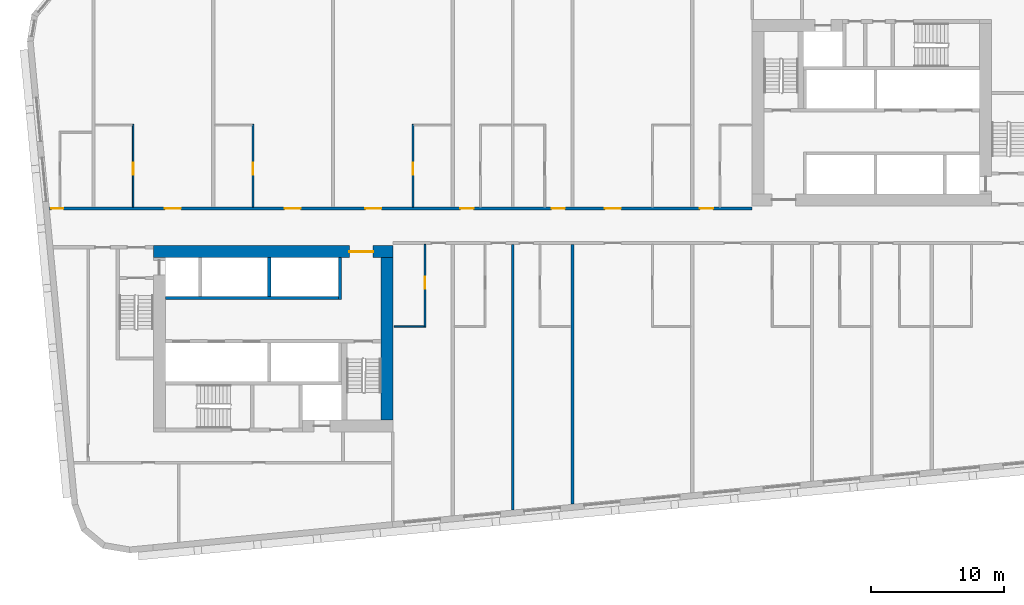
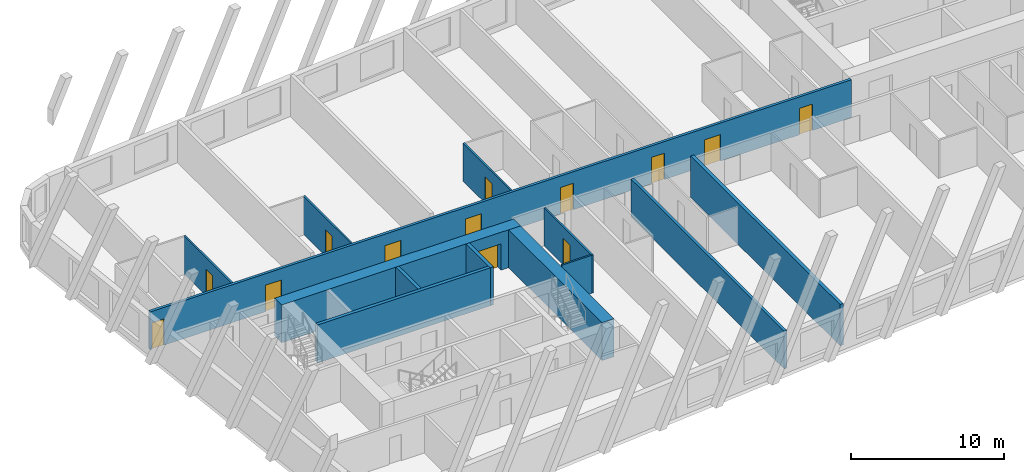
# One storey, part 3 of 13: 13 doors, 13 walls, 13 openings.
"""IFC4 building model written with IfcOpenShell, lengths in metres."""

from ifc_helpers import new_model, si_unit, direction, frame, frame_2d, origin, place, context, subcontext, project, spatial, rectangle, extrude, material, layer, layer_set, type_object, element, fill, save


model = new_model("IFC4")

# Units and contexts
model_context = context("Model", 3, precision=1e-05, world=origin(), true_north=direction((0.0, 1.0)))
body_context = subcontext(model_context, "Body", "Model", "MODEL_VIEW")
ifc_project = project(units=[si_unit("LENGTHUNIT", "METRE"), si_unit("AREAUNIT", "SQUARE_METRE"), si_unit("VOLUMEUNIT", "CUBIC_METRE"), si_unit("PLANEANGLEUNIT", "RADIAN"), si_unit("MASSUNIT", "GRAM", prefix="KILO")], contexts=[model_context])

# Site, building, storey
site_placement = place(None, origin())
site = spatial("IfcSite", under=ifc_project, at=site_placement, CompositionType="ELEMENT")
building_placement = place(site_placement, origin())
building = spatial("IfcBuilding", under=site, at=building_placement, Name="Kajstack Hotel Tower", CompositionType="ELEMENT")
storey_placement = place(building_placement, frame((0.0, 0.0, 140.5)))
storey = spatial("IfcBuildingStorey", under=building, at=storey_placement, Name="L32", CompositionType="ELEMENT", Elevation=140.5)

# Wall, opening, door
ifc_material_1 = material(Name="Concrete C60/75", Category="concrete")
ifc_layer_1 = layer(ifc_material_1, 0.89990234375)
ifc_layer_set_1 = layer_set([ifc_layer_1], Name="Core wall 900")
wall_type_1 = type_object("IfcWallType", Name="Core wall 900", PredefinedType="SHEAR", material=ifc_layer_set_1)
wall_1_placement = place(storey_placement, frame((-31.5, -1.949951171875, 0.0), z_axis=(0.0, 0.0, 1.0), x_axis=(1.0, 0.0, 0.0)))
wall_1 = element("IfcWall", 1, at=wall_1_placement, inside=storey, type_object=wall_type_1, Name="Core wall W RN", PredefinedType="SHEAR", context=body_context, shape_type="SweptSolid", body=[
    extrude(rectangle(XDim=18.0, YDim=0.89990234375, at=frame_2d((9.0, 0.0))), origin(), (0.0, 0.0, 1.0), 3.02001953125),
])
opening_1_placement = place(wall_1_placement, frame((14.72509765625, 0.0, 0.0)))
opening_1 = element("IfcOpeningElement", 2, at=opening_1_placement, cuts=wall_1, Name="Opening 32W06", PredefinedType="OPENING", context=body_context, shape_type="SweptSolid", body=[
    extrude(rectangle(XDim=1.800048828125, YDim=2.10009765625, at=frame_2d((0.89990234375, 1.050048828125))), frame((0.0, 0.4599609375, 0.0), z_axis=(0.0, -1.0, 0.0), x_axis=(1.0, 0.0, 0.0)), (0.0, 0.0, 1.0), 0.919921875),
])
ifc_material_2 = material(Name="Glazed steel frame, fire-rated glass", Category="steel")
door_type_1 = type_object("IfcDoorType", Name="Lobby double door 1800", OperationType="DOUBLE_DOOR_DOUBLE_SWING", PredefinedType="DOOR", material=ifc_material_2)
door_1_placement = place(opening_1_placement, origin())
door_1 = element("IfcDoor", 3, at=door_1_placement, inside=storey, type_object=door_type_1, Name="Door 32W06", OperationType="DOUBLE_DOOR_DOUBLE_SWING", OverallHeight=2.10009765625, OverallWidth=1.800048828125, PredefinedType="DOOR", context=body_context, shape_type="SweptSolid", body=[
    extrude(rectangle(XDim=1.800048828125, YDim=2.10009765625, at=frame_2d((0.89990234375, 1.050048828125))), frame((0.0, 0.02490234375, 0.0), z_axis=(0.0, -1.0, 0.0), x_axis=(1.0, 0.0, 0.0)), (0.0, 0.0, 1.0), 0.050048828125),
])
fill(opening_1, door_1)

# Wall
wall_2_placement = place(storey_placement, frame((-13.949951171875, -14.60009765625, 0.0), z_axis=(0.0, 0.0, 1.0), x_axis=(0.0, 1.0, 0.0)))
element("IfcWall", 4, at=wall_2_placement, inside=storey, type_object=wall_type_1, Name="Core wall W RE", PredefinedType="SHEAR", context=body_context, shape_type="SweptSolid", body=[
    extrude(rectangle(XDim=12.2001953125, YDim=0.89990234375, at=frame_2d((6.10009765625, 0.0))), origin(), (0.0, 0.0, 1.0), 3.02001953125),
])

# Wall, openings, doors
ifc_material_3 = material(Name="Gypsum board on steel studs, mineral wool", Category="steel")
ifc_layer_2 = layer(ifc_material_3, 0.199951171875)
ifc_layer_set_2 = layer_set([ifc_layer_2], Name="Corridor wall 200")
wall_type_2 = type_object("IfcWallType", Name="Corridor wall 200", PredefinedType="PARTITIONING", material=ifc_layer_set_2)
wall_3_placement = place(storey_placement, frame((-39.31591796875, 1.300048828125, 0.0), z_axis=(0.0, 0.0, 1.0), x_axis=(1.0, 0.0, 0.0)))
wall_3 = element("IfcWall", 5, at=wall_3_placement, inside=storey, type_object=wall_type_2, Name="G-wall-L32-003", PredefinedType="PARTITIONING", context=body_context, shape_type="SweptSolid", body=[
    extrude(rectangle(XDim=52.81591796875, YDim=0.199951171875, at=frame_2d((26.407958984375, 0.0))), origin(), (0.0, 0.0, 1.0), 3.02001953125),
])
opening_2_placement = place(wall_3_placement, frame((0.14990234375, 0.0, 0.0)))
opening_2 = element("IfcOpeningElement", 6, at=opening_2_placement, cuts=wall_3, Name="Opening 32001", PredefinedType="OPENING", context=body_context, shape_type="SweptSolid", body=[
    extrude(rectangle(XDim=0.89990234375, YDim=2.10009765625, at=frame_2d((0.449951171875, 1.050048828125))), frame((0.0, 0.10986328125, 0.0), z_axis=(0.0, -1.0, 0.0), x_axis=(1.0, 0.0, 0.0)), (0.0, 0.0, 1.0), 0.219970703125),
])
opening_3_placement = place(wall_3_placement, frame((8.678955078125, 0.0, 0.0)))
opening_3 = element("IfcOpeningElement", 7, at=opening_3_placement, cuts=wall_3, Name="Opening 32003", PredefinedType="OPENING", context=body_context, shape_type="SweptSolid", body=[
    extrude(rectangle(XDim=1.199951171875, YDim=2.10009765625, at=frame_2d((0.60009765625, 1.050048828125))), frame((0.0, 0.10986328125, 0.0), z_axis=(0.0, -1.0, 0.0), x_axis=(1.0, 0.0, 0.0)), (0.0, 0.0, 1.0), 0.219970703125),
])
opening_4_placement = place(wall_3_placement, frame((17.677978515625, 0.0, 0.0)))
opening_4 = element("IfcOpeningElement", 8, at=opening_4_placement, cuts=wall_3, Name="Opening 32005", PredefinedType="OPENING", context=body_context, shape_type="SweptSolid", body=[
    extrude(rectangle(XDim=1.199951171875, YDim=2.10009765625, at=frame_2d((0.60009765625, 1.050048828125))), frame((0.0, 0.10986328125, 0.0), z_axis=(0.0, -1.0, 0.0), x_axis=(1.0, 0.0, 0.0)), (0.0, 0.0, 1.0), 0.219970703125),
])
opening_5_placement = place(wall_3_placement, frame((23.75390625, 0.0, 0.0)))
opening_5 = element("IfcOpeningElement", 9, at=opening_5_placement, cuts=wall_3, Name="Opening 32007", PredefinedType="OPENING", context=body_context, shape_type="SweptSolid", body=[
    extrude(rectangle(XDim=1.199951171875, YDim=2.10009765625, at=frame_2d((0.60009765625, 1.050048828125))), frame((0.0, 0.10986328125, 0.0), z_axis=(0.0, -1.0, 0.0), x_axis=(1.0, 0.0, 0.0)), (0.0, 0.0, 1.0), 0.219970703125),
])
opening_6_placement = place(wall_3_placement, frame((30.89111328125, 0.0, 0.0)))
opening_6 = element("IfcOpeningElement", 10, at=opening_6_placement, cuts=wall_3, Name="Opening 32009", PredefinedType="OPENING", context=body_context, shape_type="SweptSolid", body=[
    extrude(rectangle(XDim=1.0, YDim=2.10009765625, at=frame_2d((0.5, 1.050048828125))), frame((0.0, 0.10986328125, 0.0), z_axis=(0.0, -1.0, 0.0), x_axis=(1.0, 0.0, 0.0)), (0.0, 0.0, 1.0), 0.219970703125),
])
opening_7_placement = place(wall_3_placement, frame((37.740966796875, 0.0, 0.0)))
opening_7 = element("IfcOpeningElement", 11, at=opening_7_placement, cuts=wall_3, Name="Opening 32011", PredefinedType="OPENING", context=body_context, shape_type="SweptSolid", body=[
    extrude(rectangle(XDim=1.0, YDim=2.10009765625, at=frame_2d((0.5, 1.050048828125))), frame((0.0, 0.10986328125, 0.0), z_axis=(0.0, -1.0, 0.0), x_axis=(1.0, 0.0, 0.0)), (0.0, 0.0, 1.0), 0.219970703125),
])
opening_8_placement = place(wall_3_placement, frame((41.75390625, 0.0, 0.0)))
opening_8 = element("IfcOpeningElement", 12, at=opening_8_placement, cuts=wall_3, Name="Opening 32013", PredefinedType="OPENING", context=body_context, shape_type="SweptSolid", body=[
    extrude(rectangle(XDim=1.199951171875, YDim=2.10009765625, at=frame_2d((0.60009765625, 1.050048828125))), frame((0.0, 0.10986328125, 0.0), z_axis=(0.0, -1.0, 0.0), x_axis=(1.0, 0.0, 0.0)), (0.0, 0.0, 1.0), 0.219970703125),
])
opening_9_placement = place(wall_3_placement, frame((48.89111328125, 0.0, 0.0)))
opening_9 = element("IfcOpeningElement", 13, at=opening_9_placement, cuts=wall_3, Name="Opening 32015", PredefinedType="OPENING", context=body_context, shape_type="SweptSolid", body=[
    extrude(rectangle(XDim=1.0, YDim=2.10009765625, at=frame_2d((0.5, 1.050048828125))), frame((0.0, 0.10986328125, 0.0), z_axis=(0.0, -1.0, 0.0), x_axis=(1.0, 0.0, 0.0)), (0.0, 0.0, 1.0), 0.219970703125),
])
ifc_material_4 = material(Name="Oak veneer on timber core, fire-rated leaf", Category="wood")
door_type_2 = type_object("IfcDoorType", Name="Flat entrance door 1000", OperationType="SINGLE_SWING_LEFT", PredefinedType="DOOR", material=ifc_material_4)
door_2_placement = place(opening_6_placement, origin())
door_2 = element("IfcDoor", 14, at=door_2_placement, inside=storey, type_object=door_type_2, Name="G-door-L32-09", OperationType="SINGLE_SWING_LEFT", OverallHeight=2.10009765625, OverallWidth=1.0, PredefinedType="DOOR", context=body_context, shape_type="SweptSolid", body=[
    extrude(rectangle(XDim=1.0, YDim=2.10009765625, at=frame_2d((0.5, 1.050048828125))), frame((0.0, 0.02490234375, 0.0), z_axis=(0.0, -1.0, 0.0), x_axis=(1.0, 0.0, 0.0)), (0.0, 0.0, 1.0), 0.050048828125),
])
fill(opening_6, door_2)
door_3_placement = place(opening_7_placement, origin())
door_3 = element("IfcDoor", 15, at=door_3_placement, inside=storey, type_object=door_type_2, Name="G-door-L32-11", OperationType="SINGLE_SWING_RIGHT", OverallHeight=2.10009765625, OverallWidth=1.0, PredefinedType="DOOR", context=body_context, shape_type="SweptSolid", body=[
    extrude(rectangle(XDim=1.0, YDim=2.10009765625, at=frame_2d((0.5, 1.050048828125))), frame((0.0, 0.02490234375, 0.0), z_axis=(0.0, -1.0, 0.0), x_axis=(1.0, 0.0, 0.0)), (0.0, 0.0, 1.0), 0.050048828125),
])
fill(opening_7, door_3)
door_4_placement = place(opening_9_placement, origin())
door_4 = element("IfcDoor", 16, at=door_4_placement, inside=storey, type_object=door_type_2, Name="G-door-L32-15", OperationType="SINGLE_SWING_RIGHT", OverallHeight=2.10009765625, OverallWidth=1.0, PredefinedType="DOOR", context=body_context, shape_type="SweptSolid", body=[
    extrude(rectangle(XDim=1.0, YDim=2.10009765625, at=frame_2d((0.5, 1.050048828125))), frame((0.0, 0.02490234375, 0.0), z_axis=(0.0, -1.0, 0.0), x_axis=(1.0, 0.0, 0.0)), (0.0, 0.0, 1.0), 0.050048828125),
])
fill(opening_9, door_4)
door_type_3 = type_object("IfcDoorType", Name="Flat entrance door 1200", OperationType="SINGLE_SWING_LEFT", PredefinedType="DOOR", material=ifc_material_4)
door_5_placement = place(opening_3_placement, origin())
door_5 = element("IfcDoor", 17, at=door_5_placement, inside=storey, type_object=door_type_3, Name="G-door-L32-03", OperationType="SINGLE_SWING_LEFT", OverallHeight=2.10009765625, OverallWidth=1.199951171875, PredefinedType="DOOR", context=body_context, shape_type="SweptSolid", body=[
    extrude(rectangle(XDim=1.199951171875, YDim=2.10009765625, at=frame_2d((0.60009765625, 1.050048828125))), frame((0.0, 0.02490234375, 0.0), z_axis=(0.0, -1.0, 0.0), x_axis=(1.0, 0.0, 0.0)), (0.0, 0.0, 1.0), 0.050048828125),
])
fill(opening_3, door_5)
door_6_placement = place(opening_4_placement, origin())
door_6 = element("IfcDoor", 18, at=door_6_placement, inside=storey, type_object=door_type_3, Name="G-door-L32-05", OperationType="SINGLE_SWING_RIGHT", OverallHeight=2.10009765625, OverallWidth=1.199951171875, PredefinedType="DOOR", context=body_context, shape_type="SweptSolid", body=[
    extrude(rectangle(XDim=1.199951171875, YDim=2.10009765625, at=frame_2d((0.60009765625, 1.050048828125))), frame((0.0, 0.02490234375, 0.0), z_axis=(0.0, -1.0, 0.0), x_axis=(1.0, 0.0, 0.0)), (0.0, 0.0, 1.0), 0.050048828125),
])
fill(opening_4, door_6)
door_7_placement = place(opening_5_placement, origin())
door_7 = element("IfcDoor", 19, at=door_7_placement, inside=storey, type_object=door_type_3, Name="G-door-L32-07", OperationType="SINGLE_SWING_RIGHT", OverallHeight=2.10009765625, OverallWidth=1.199951171875, PredefinedType="DOOR", context=body_context, shape_type="SweptSolid", body=[
    extrude(rectangle(XDim=1.199951171875, YDim=2.10009765625, at=frame_2d((0.60009765625, 1.050048828125))), frame((0.0, 0.02490234375, 0.0), z_axis=(0.0, -1.0, 0.0), x_axis=(1.0, 0.0, 0.0)), (0.0, 0.0, 1.0), 0.050048828125),
])
fill(opening_5, door_7)
door_8_placement = place(opening_8_placement, origin())
door_8 = element("IfcDoor", 20, at=door_8_placement, inside=storey, type_object=door_type_3, Name="G-door-L32-13", OperationType="SINGLE_SWING_LEFT", OverallHeight=2.10009765625, OverallWidth=1.199951171875, PredefinedType="DOOR", context=body_context, shape_type="SweptSolid", body=[
    extrude(rectangle(XDim=1.199951171875, YDim=2.10009765625, at=frame_2d((0.60009765625, 1.050048828125))), frame((0.0, 0.02490234375, 0.0), z_axis=(0.0, -1.0, 0.0), x_axis=(1.0, 0.0, 0.0)), (0.0, 0.0, 1.0), 0.050048828125),
])
fill(opening_8, door_8)
ifc_material_5 = material(Name="Painted timber door leaf", Category="wood")
door_type_4 = type_object("IfcDoorType", Name="Room door 900", OperationType="SINGLE_SWING_LEFT", PredefinedType="DOOR", material=ifc_material_5)
door_9_placement = place(opening_2_placement, origin())
door_9 = element("IfcDoor", 21, at=door_9_placement, inside=storey, type_object=door_type_4, Name="G-door-L32-01", OperationType="SINGLE_SWING_RIGHT", OverallHeight=2.10009765625, OverallWidth=0.89990234375, PredefinedType="DOOR", context=body_context, shape_type="SweptSolid", body=[
    extrude(rectangle(XDim=0.89990234375, YDim=2.10009765625, at=frame_2d((0.449951171875, 1.050048828125))), frame((0.0, 0.02490234375, 0.0), z_axis=(0.0, -1.0, 0.0), x_axis=(1.0, 0.0, 0.0)), (0.0, 0.0, 1.0), 0.050048828125),
])
fill(opening_2, door_9)

# Wall
ifc_material_6 = material(Name="Twin-frame gypsum board on steel studs, mineral wool", Category="steel")
ifc_layer_3 = layer(ifc_material_6, 0.199951171875)
ifc_layer_set_3 = layer_set([ifc_layer_3], Name="Demising wall 200")
wall_type_3 = type_object("IfcWallType", Name="Demising wall 200", PredefinedType="PARTITIONING", material=ifc_layer_set_3)
wall_4_placement = place(storey_placement, frame((-4.5, -21.365966796875, 0.0), z_axis=(0.0, 0.0, 1.0), x_axis=(0.0, 1.0, 0.0)))
element("IfcWall", 22, at=wall_4_placement, inside=storey, type_object=wall_type_3, Name="G-wall-L32-024", PredefinedType="PARTITIONING", context=body_context, shape_type="SweptSolid", body=[
    extrude(rectangle(XDim=19.966064453125, YDim=0.199951171875, at=frame_2d((9.98291015625, 0.0))), origin(), (0.0, 0.0, 1.0), 3.02001953125),
])

# Wall, opening, door
ifc_material_7 = material(Name="Gypsum board and tiled backer on steel studs", Category="steel")
ifc_layer_4 = layer(ifc_material_7, 0.125)
ifc_layer_set_4 = layer_set([ifc_layer_4], Name="En-suite wall 125")
wall_type_4 = type_object("IfcWallType", Name="En-suite wall 125", PredefinedType="PARTITIONING", material=ifc_layer_set_4)
wall_5_placement = place(storey_placement, frame((-33.012939453125, 1.39990234375, 0.0), z_axis=(0.0, 0.0, 1.0), x_axis=(0.0, 1.0, 0.0)))
wall_5 = element("IfcWall", 23, at=wall_5_placement, inside=storey, type_object=wall_type_4, Name="G-wall-L32-006", PredefinedType="PARTITIONING", context=body_context, shape_type="SweptSolid", body=[
    extrude(rectangle(XDim=6.22509765625, YDim=0.125, at=frame_2d((3.112548828125, 0.0))), origin(), (0.0, 0.0, 1.0), 3.02001953125),
])
opening_10_placement = place(wall_5_placement, frame((2.449951171875, 0.0, 0.0)))
opening_10 = element("IfcOpeningElement", 24, at=opening_10_placement, cuts=wall_5, Name="Opening 32004", PredefinedType="OPENING", context=body_context, shape_type="SweptSolid", body=[
    extrude(rectangle(XDim=0.89990234375, YDim=2.10009765625, at=frame_2d((0.449951171875, 1.050048828125))), frame((0.0, 0.072509765625, 0.0), z_axis=(0.0, -1.0, 0.0), x_axis=(1.0, 0.0, 0.0)), (0.0, 0.0, 1.0), 0.14501953125),
])
door_10_placement = place(opening_10_placement, origin())
door_10 = element("IfcDoor", 25, at=door_10_placement, inside=storey, type_object=door_type_4, Name="G-door-L32-04", OperationType="SINGLE_SWING_RIGHT", OverallHeight=2.10009765625, OverallWidth=0.89990234375, PredefinedType="DOOR", context=body_context, shape_type="SweptSolid", body=[
    extrude(rectangle(XDim=0.89990234375, YDim=2.10009765625, at=frame_2d((0.449951171875, 1.050048828125))), frame((0.0, 0.02490234375, 0.0), z_axis=(0.0, -1.0, 0.0), x_axis=(1.0, 0.0, 0.0)), (0.0, 0.0, 1.0), 0.050048828125),
])
fill(opening_10, door_10)

wall_6_placement = place(storey_placement, frame((-24.011962890625, 1.39990234375, 0.0), z_axis=(0.0, 0.0, 1.0), x_axis=(0.0, 1.0, 0.0)))
wall_6 = element("IfcWall", 26, at=wall_6_placement, inside=storey, type_object=wall_type_4, Name="G-wall-L32-008", PredefinedType="PARTITIONING", context=body_context, shape_type="SweptSolid", body=[
    extrude(rectangle(XDim=6.22509765625, YDim=0.125, at=frame_2d((3.112548828125, 0.0))), origin(), (0.0, 0.0, 1.0), 3.02001953125),
])
opening_11_placement = place(wall_6_placement, frame((2.449951171875, 0.0, 0.0)))
opening_11 = element("IfcOpeningElement", 27, at=opening_11_placement, cuts=wall_6, Name="Opening 32006", PredefinedType="OPENING", context=body_context, shape_type="SweptSolid", body=[
    extrude(rectangle(XDim=0.89990234375, YDim=2.10009765625, at=frame_2d((0.449951171875, 1.050048828125))), frame((0.0, 0.072509765625, 0.0), z_axis=(0.0, -1.0, 0.0), x_axis=(1.0, 0.0, 0.0)), (0.0, 0.0, 1.0), 0.14501953125),
])
door_11_placement = place(opening_11_placement, origin())
door_11 = element("IfcDoor", 28, at=door_11_placement, inside=storey, type_object=door_type_4, Name="G-door-L32-06", OperationType="SINGLE_SWING_RIGHT", OverallHeight=2.10009765625, OverallWidth=0.89990234375, PredefinedType="DOOR", context=body_context, shape_type="SweptSolid", body=[
    extrude(rectangle(XDim=0.89990234375, YDim=2.10009765625, at=frame_2d((0.449951171875, 1.050048828125))), frame((0.0, 0.02490234375, 0.0), z_axis=(0.0, -1.0, 0.0), x_axis=(1.0, 0.0, 0.0)), (0.0, 0.0, 1.0), 0.050048828125),
])
fill(opening_11, door_11)

wall_7_placement = place(storey_placement, frame((-11.988037109375, 1.39990234375, 0.0), z_axis=(0.0, 0.0, 1.0), x_axis=(0.0, 1.0, 0.0)))
wall_7 = element("IfcWall", 29, at=wall_7_placement, inside=storey, type_object=wall_type_4, Name="G-wall-L32-010", PredefinedType="PARTITIONING", context=body_context, shape_type="SweptSolid", body=[
    extrude(rectangle(XDim=6.22509765625, YDim=0.125, at=frame_2d((3.112548828125, 0.0))), origin(), (0.0, 0.0, 1.0), 3.02001953125),
])
opening_12_placement = place(wall_7_placement, frame((2.449951171875, 0.0, 0.0)))
opening_12 = element("IfcOpeningElement", 30, at=opening_12_placement, cuts=wall_7, Name="Opening 32008", PredefinedType="OPENING", context=body_context, shape_type="SweptSolid", body=[
    extrude(rectangle(XDim=0.89990234375, YDim=2.10009765625, at=frame_2d((0.449951171875, 1.050048828125))), frame((0.0, 0.072509765625, 0.0), z_axis=(0.0, -1.0, 0.0), x_axis=(1.0, 0.0, 0.0)), (0.0, 0.0, 1.0), 0.14501953125),
])
door_12_placement = place(opening_12_placement, origin())
door_12 = element("IfcDoor", 31, at=door_12_placement, inside=storey, type_object=door_type_4, Name="G-door-L32-08", OperationType="SINGLE_SWING_LEFT", OverallHeight=2.10009765625, OverallWidth=0.89990234375, PredefinedType="DOOR", context=body_context, shape_type="SweptSolid", body=[
    extrude(rectangle(XDim=0.89990234375, YDim=2.10009765625, at=frame_2d((0.449951171875, 1.050048828125))), frame((0.0, 0.02490234375, 0.0), z_axis=(0.0, -1.0, 0.0), x_axis=(1.0, 0.0, 0.0)), (0.0, 0.0, 1.0), 0.050048828125),
])
fill(opening_12, door_12)

wall_8_placement = place(storey_placement, frame((-11.087890625, -7.625, 0.0), z_axis=(0.0, 0.0, 1.0), x_axis=(0.0, 1.0, 0.0)))
wall_8 = element("IfcWall", 32, at=wall_8_placement, inside=storey, type_object=wall_type_4, Name="G-wall-L32-022", PredefinedType="PARTITIONING", context=body_context, shape_type="SweptSolid", body=[
    extrude(rectangle(XDim=6.22509765625, YDim=0.125, at=frame_2d((3.112548828125, 0.0))), origin(), (0.0, 0.0, 1.0), 3.02001953125),
])
opening_13_placement = place(wall_8_placement, frame((2.875, 0.0, 0.0)))
opening_13 = element("IfcOpeningElement", 33, at=opening_13_placement, cuts=wall_8, Name="Opening 32018", PredefinedType="OPENING", context=body_context, shape_type="SweptSolid", body=[
    extrude(rectangle(XDim=0.89990234375, YDim=2.10009765625, at=frame_2d((0.449951171875, 1.050048828125))), frame((0.0, 0.072509765625, 0.0), z_axis=(0.0, -1.0, 0.0), x_axis=(1.0, 0.0, 0.0)), (0.0, 0.0, 1.0), 0.14501953125),
])
door_13_placement = place(opening_13_placement, origin())
door_13 = element("IfcDoor", 34, at=door_13_placement, inside=storey, type_object=door_type_4, Name="G-door-L32-18", OperationType="SINGLE_SWING_LEFT", OverallHeight=2.10009765625, OverallWidth=0.89990234375, PredefinedType="DOOR", context=body_context, shape_type="SweptSolid", body=[
    extrude(rectangle(XDim=0.89990234375, YDim=2.10009765625, at=frame_2d((0.449951171875, 1.050048828125))), frame((0.0, 0.02490234375, 0.0), z_axis=(0.0, -1.0, 0.0), x_axis=(1.0, 0.0, 0.0)), (0.0, 0.0, 1.0), 0.050048828125),
])
fill(opening_13, door_13)

# Walls
wall_9_placement = place(storey_placement, frame((-13.39990234375, -7.56201171875, 0.0), z_axis=(0.0, 0.0, 1.0), x_axis=(1.0, 0.0, 0.0)))
element("IfcWall", 35, at=wall_9_placement, inside=storey, type_object=wall_type_4, Name="G-wall-L32-023", PredefinedType="PARTITIONING", context=body_context, shape_type="SweptSolid", body=[
    extrude(rectangle(XDim=2.25, YDim=0.125, at=frame_2d((1.125, 0.0))), origin(), (0.0, 0.0, 1.0), 3.02001953125),
])
ifc_material_8 = material(Name="Concrete C50/60", Category="concrete")
ifc_layer_5 = layer(ifc_material_8, 0.300048828125)
ifc_layer_set_5 = layer_set([ifc_layer_5], Name="Hoistway divider wall 300")
wall_type_5 = type_object("IfcWallType", Name="Hoistway divider wall 300", PredefinedType="SHEAR", material=ifc_layer_set_5)
wall_10_placement = place(storey_placement, frame((-22.77490234375, -5.300048828125, 0.0), z_axis=(0.0, 0.0, 1.0), x_axis=(0.0, 1.0, 0.0)))
element("IfcWall", 36, at=wall_10_placement, inside=storey, type_object=wall_type_5, Name="Core wall W AP2", PredefinedType="SHEAR", context=body_context, shape_type="SweptSolid", body=[
    extrude(rectangle(XDim=2.900146484375, YDim=0.25, at=frame_2d((1.4501953125, 0.0))), origin(), (0.0, 0.0, 1.0), 3.02001953125),
])
ifc_material_9 = material(Name="Concrete C55/67", Category="concrete")
ifc_layer_6 = layer(ifc_material_9, 0.25)
ifc_layer_set_6 = layer_set([ifc_layer_6], Name="RC cross wall 250 C55/67")
wall_type_6 = type_object("IfcWallType", Name="RC cross wall 250 C55/67", PredefinedType="SHEAR", material=ifc_layer_set_6)
wall_11_placement = place(storey_placement, frame((0.0, -20.910400390625, 0.0), z_axis=(0.0, 0.0, 1.0), x_axis=(0.0, 1.0, 0.0)))
element("IfcWall", 37, at=wall_11_placement, inside=storey, type_object=wall_type_6, Name="S-wall-L32-06", PredefinedType="SHEAR", context=body_context, shape_type="SweptSolid", body=[
    extrude(rectangle(XDim=19.510498046875, YDim=0.25, at=frame_2d((9.75537109375, 0.0))), origin(), (0.0, 0.0, 1.0), 3.300048828125),
])
ifc_layer_7 = layer(ifc_material_8, 0.25)
ifc_layer_set_7 = layer_set([ifc_layer_7], Name="Shaft wall 250")
wall_type_7 = type_object("IfcWallType", Name="Shaft wall 250", PredefinedType="SHEAR", material=ifc_layer_set_7)
wall_12_placement = place(storey_placement, frame((-30.60009765625, -5.425048828125, 0.0), z_axis=(0.0, 0.0, 1.0), x_axis=(1.0, 0.0, 0.0)))
element("IfcWall", 38, at=wall_12_placement, inside=storey, type_object=wall_type_7, Name="Core wall W FA", PredefinedType="SHEAR", context=body_context, shape_type="SweptSolid", body=[
    extrude(rectangle(XDim=13.0, YDim=0.25, at=frame_2d((6.5, 0.0))), origin(), (0.0, 0.0, 1.0), 3.02001953125),
])
wall_13_placement = place(storey_placement, frame((-17.47509765625, -5.550048828125, 0.0), z_axis=(0.0, 0.0, 1.0), x_axis=(0.0, 1.0, 0.0)))
element("IfcWall", 39, at=wall_13_placement, inside=storey, type_object=wall_type_7, Name="Core wall W AE", PredefinedType="SHEAR", context=body_context, shape_type="SweptSolid", body=[
    extrude(rectangle(XDim=3.150146484375, YDim=0.25, at=frame_2d((1.5751953125, 0.0))), origin(), (0.0, 0.0, 1.0), 3.02001953125),
])

save(model, "model.ifc")
